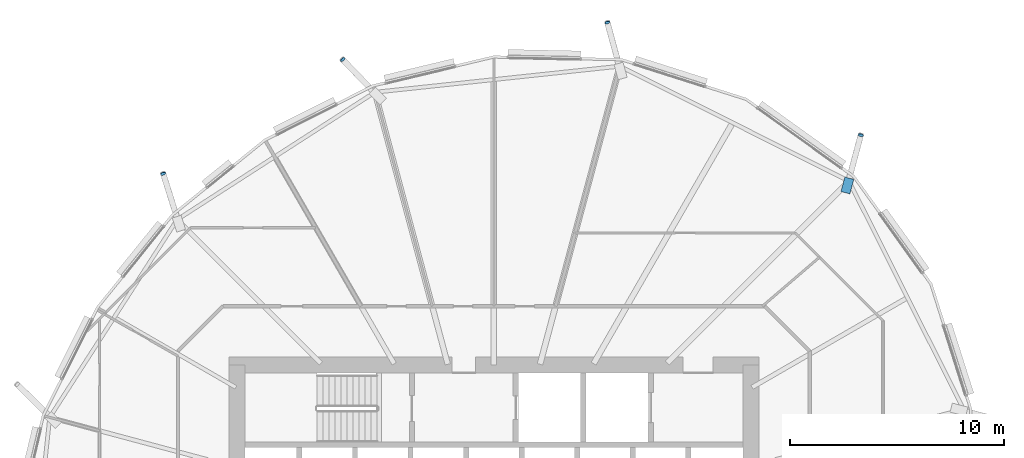
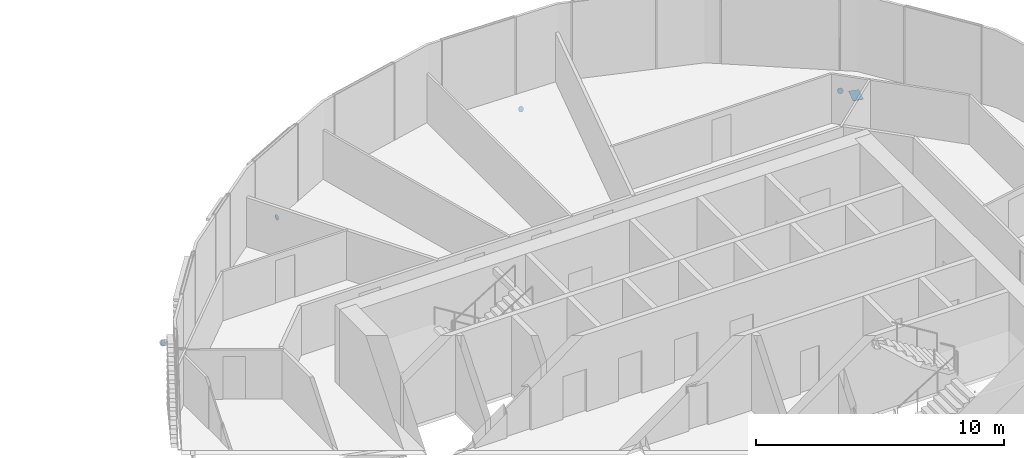
# One storey, part 35 of 43: 5 discrete accessories.
"""IFC4 building model written with IfcOpenShell, lengths in metres."""

from ifc_helpers import new_model, si_unit, direction, frame, origin, origin_2d, place, context, subcontext, project, spatial, polyline, rectangle, circle, outline, extrude, material, material_profile, profile_set, type_object, element, save


model = new_model("IFC4")

# Units and contexts
model_context = context("Model", 3, precision=1e-05, world=origin(), true_north=direction((0.0, 1.0)))
body_context = subcontext(model_context, "Body", "Model", "MODEL_VIEW")
ifc_project = project(units=[si_unit("LENGTHUNIT", "METRE"), si_unit("AREAUNIT", "SQUARE_METRE"), si_unit("VOLUMEUNIT", "CUBIC_METRE"), si_unit("PLANEANGLEUNIT", "RADIAN"), si_unit("MASSUNIT", "GRAM", prefix="KILO")], contexts=[model_context])

# Site, building, storey
site_placement = place(None, origin())
site = spatial("IfcSite", under=ifc_project, at=site_placement, CompositionType="ELEMENT")
building_placement = place(site_placement, origin())
building = spatial("IfcBuilding", under=site, at=building_placement, Name="Rimbun Link Towers", CompositionType="ELEMENT")
storey_placement = place(building_placement, frame((0.0, 0.0, 81.60009765625)))
storey = spatial("IfcBuildingStorey", under=building, at=storey_placement, Name="L19", CompositionType="ELEMENT", Elevation=81.60009765625)

# Discrete accessories
ifc_material_1 = material(Name="Steel S355J2H", Category="steel")
ifc_material_profile_1 = material_profile(ifc_material_1, circle(Radius=0.1240234375, at=origin_2d()), Name="PL D248")
ifc_profile_set_1 = profile_set([ifc_material_profile_1], Name="Steel S355J2H")
discrete_accessory_type_1 = type_object("IfcDiscreteAccessoryType", Name="Link foot sealing plate D248X20", PredefinedType="BRACKET", material=ifc_profile_set_1)
discrete_accessory_1_placement = place(storey_placement, frame((48.879150390625, 18.727294921875, -2.27099609375), z_axis=(0.221079511147, 0.835189264332, -0.503569997612), x_axis=(-0.966705227862, 0.255892560316, 0.0)))
element("IfcDiscreteAccessory", 1, at=discrete_accessory_1_placement, inside=storey, type_object=discrete_accessory_type_1, Name="Link foot sealing plate T2 L19 00", PredefinedType="BRACKET", context=body_context, shape_type="SweptSolid", body=[
    extrude(circle(Radius=0.1240234375, at=origin_2d()), origin(), (0.0, 0.0, 1.0), 0.019775390625),
])
for number, where, z_axis, x_axis, name in (
    (2, (37.052001953125, 23.9873046875, -2.220703125), (-0.230714403426, 0.850000433674, -0.47357167019), (-0.965081274591, -0.261950631675, 0.0), "Link foot sealing plate T2 L19 02"),
    (3, (24.693603515625, 22.260986328125, -2.17578125), (-0.61080164127, 0.623017674096, -0.488641313016), (-0.714072839145, -0.700071410926, 0.0), "Link foot sealing plate T2 L19 04"),
    (4, (16.3134765625, 16.9296875, -2.18408203125), (-0.256670786107, 0.818902031866, -0.513341572215), (-0.954226213926, -0.299085828245, 0.0), "Link foot sealing plate T2 L19 06"),
):
    element("IfcDiscreteAccessory", number, at=place(storey_placement, frame(where, z_axis=z_axis, x_axis=x_axis)), inside=storey, type_object=discrete_accessory_type_1, Name=name, PredefinedType="BRACKET", context=body_context, shape_type="SweptSolid", body=[
        extrude(circle(Radius=0.1240234375, at=origin_2d()), origin(), (0.0, 0.0, 1.0), 0.02001953125),
    ])
ifc_material_2 = material(Name="Steel S355J2H", Category="steel")
ifc_material_profile_2 = material_profile(ifc_material_2, rectangle(XDim=0.43310546875, YDim=0.43310546875, at=origin_2d()), Name="PL 433x433")
ifc_profile_set_2 = profile_set([ifc_material_profile_2], Name="Steel S355J2H")
discrete_accessory_type_2 = type_object("IfcDiscreteAccessoryType", Name="Link head end plate 433X20", PredefinedType="BRACKET", material=ifc_profile_set_2)
discrete_accessory_2_placement = place(storey_placement, frame((0.0, 0.0, -0.863525390625)))
element("IfcDiscreteAccessory", 5, at=discrete_accessory_2_placement, inside=storey, type_object=discrete_accessory_type_2, Name="Link head end plate T2 L19 00", PredefinedType="BRACKET", context=body_context, shape_type="SweptSolid", body=[
    extrude(outline(polyline([(48.373291015625, 15.98974609375), (48.5546875, 16.669677734375), (48.13623046875, 16.78125), (47.954833984375, 16.101318359375), (48.373291015625, 15.98974609375)])), origin(), (0.0, 0.0, 1.0), 0.02001953125),
])

save(model, "model.ifc")
